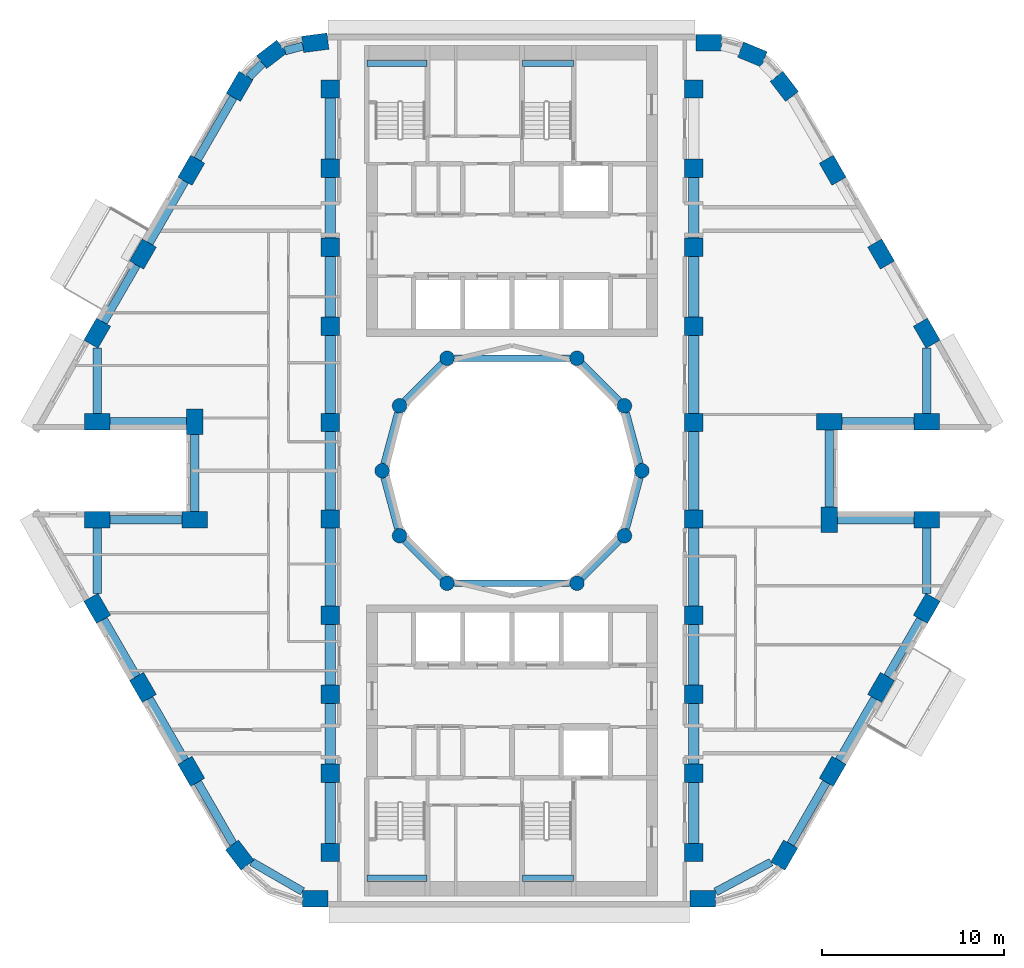
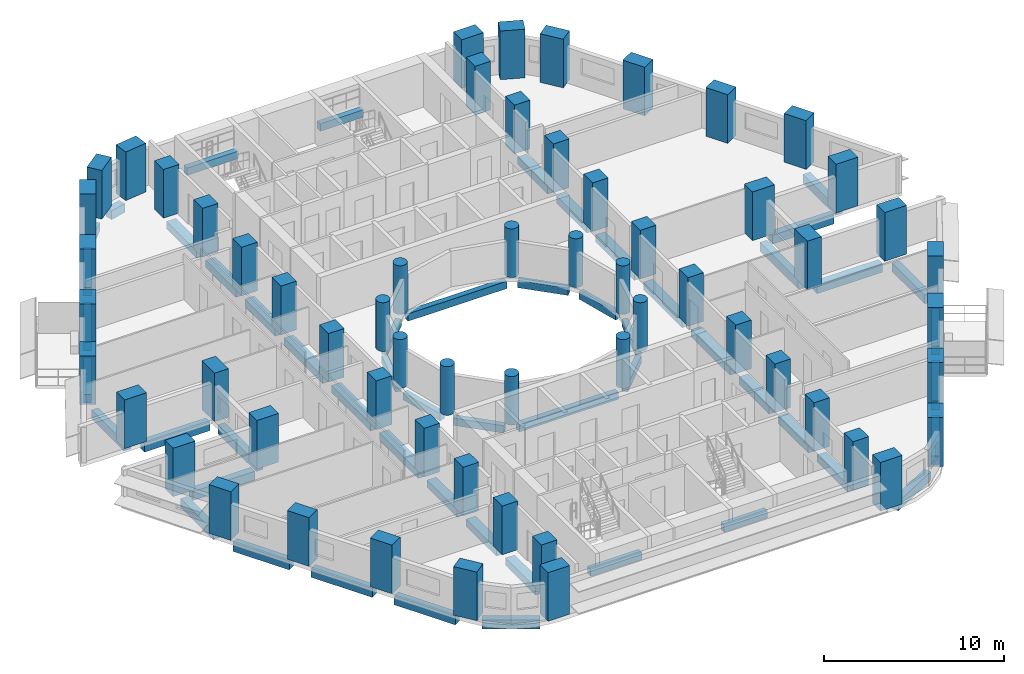
# One storey, part 1 of 14: 60 columns, 54 beams.
"""IFC4 building model written with IfcOpenShell, lengths in metres."""

from ifc_helpers import new_model, si_unit, direction, frame, origin, origin_2d, place, context, subcontext, project, spatial, rectangle, circle, extrude, material, material_profile, profile_set, type_object, element, save


model = new_model("IFC4")

# Units and contexts
model_context = context("Model", 3, precision=1e-05, world=origin(), true_north=direction((0.0, 1.0)))
body_context = subcontext(model_context, "Body", "Model", "MODEL_VIEW")
ifc_project = project(units=[si_unit("LENGTHUNIT", "METRE"), si_unit("AREAUNIT", "SQUARE_METRE"), si_unit("VOLUMEUNIT", "CUBIC_METRE"), si_unit("PLANEANGLEUNIT", "RADIAN"), si_unit("MASSUNIT", "GRAM", prefix="KILO")], contexts=[model_context])

# Site, building, storey
site_placement = place(None, origin())
site = spatial("IfcSite", under=ifc_project, at=site_placement, CompositionType="ELEMENT")
building_placement = place(site_placement, origin())
building = spatial("IfcBuilding", under=site, at=building_placement, Name="Nakaniwa Court", CompositionType="ELEMENT")
storey_placement = place(building_placement, frame((0.0, 0.0, 110.699951171875)))
storey = spatial("IfcBuildingStorey", under=building, at=storey_placement, Name="L29", CompositionType="ELEMENT", Elevation=110.699951171875)

# Columns
ifc_material = material(Name="Concrete C80/100", Category="concrete")
ifc_material_profile_1 = material_profile(ifc_material, rectangle(XDim=1.0, YDim=1.0, at=origin_2d()), Name="Concrete C80/100 RC 1000x1000 spine column")
ifc_profile_set_1 = profile_set([ifc_material_profile_1], Name="Concrete C80/100")
column_type_1 = type_object("IfcColumnType", Name="Concrete C80/100 RC 1000x1000 spine column", PredefinedType="COLUMN", material=ifc_profile_set_1)
for number, where, z_axis, x_axis, name in (
    (1, (90.0, 59.0, 0.0), (0.0, 0.0, 1.0), (0.0, 1.0, 0.0), "COLUMN CS-01"),
    (2, (90.0, 63.35009765625, 0.0), (0.0, 0.0, 1.0), (0.0, 1.0, 0.0), "COLUMN CS-02"),
    (3, (90.0, 67.699951171875, 0.0), (0.0, 0.0, 1.0), (0.0, 1.0, 0.0), "COLUMN CS-03"),
    (4, (90.0, 72.050048828125, 0.0), (0.0, 0.0, 1.0), (0.0, 1.0, 0.0), "COLUMN CS-04"),
    (5, (90.0, 77.35009765625, 0.0), (0.0, 0.0, 1.0), (0.0, 1.0, 0.0), "COLUMN CS-05"),
    (6, (90.0, 82.64990234375, 0.0), (0.0, 0.0, 1.0), (0.0, 1.0, 0.0), "COLUMN CS-06"),
    (7, (90.0, 87.949951171875, 0.0), (0.0, 0.0, 1.0), (0.0, 1.0, 0.0), "COLUMN CS-07"),
    (8, (90.0, 92.300048828125, 0.0), (0.0, 0.0, 1.0), (0.0, 1.0, 0.0), "COLUMN CS-08"),
    (9, (90.0, 96.64990234375, 0.0), (0.0, 0.0, 1.0), (0.0, 1.0, 0.0), "COLUMN CS-09"),
    (10, (90.0, 101.0, 0.0), (0.0, 0.0, 1.0), (0.0, 1.0, 0.0), "COLUMN CS-10"),
    (11, (70.0, 101.0, 0.0), (0.0, 0.0, 1.0), (0.0, -1.0, 0.0), "COLUMN CS-11"),
    (12, (70.0, 96.64990234375, 0.0), (0.0, 0.0, 1.0), (0.0, -1.0, 0.0), "COLUMN CS-12"),
    (13, (70.0, 92.300048828125, 0.0), (0.0, 0.0, 1.0), (0.0, -1.0, 0.0), "COLUMN CS-13"),
    (14, (70.0, 87.949951171875, 0.0), (0.0, 0.0, 1.0), (0.0, -1.0, 0.0), "COLUMN CS-14"),
    (15, (70.0, 82.64990234375, 0.0), (0.0, 0.0, 1.0), (0.0, -1.0, 0.0), "COLUMN CS-15"),
    (16, (70.0, 77.35009765625, 0.0), (0.0, 0.0, 1.0), (0.0, -1.0, 0.0), "COLUMN CS-16"),
    (17, (70.0, 72.050048828125, 0.0), (0.0, 0.0, 1.0), (0.0, -1.0, 0.0), "COLUMN CS-17"),
    (18, (70.0, 67.699951171875, 0.0), (0.0, 0.0, 1.0), (0.0, -1.0, 0.0), "COLUMN CS-18"),
    (19, (70.0, 63.35009765625, 0.0), (0.0, 0.0, 1.0), (0.0, -1.0, 0.0), "COLUMN CS-19"),
    (20, (70.0, 59.0, 0.0), (0.0, 0.0, 1.0), (0.0, -1.0, 0.0), "COLUMN CS-20"),
):
    element("IfcColumn", number, at=place(storey_placement, frame(where, z_axis=z_axis, x_axis=x_axis)), inside=storey, type_object=column_type_1, Name=name, PredefinedType="COLUMN", context=body_context, shape_type="SweptSolid", body=[
        extrude(rectangle(XDim=1.0, YDim=1.0, at=origin_2d()), origin(), (0.0, 0.0, 1.0), 3.300048828125),
    ])
ifc_material_profile_2 = material_profile(ifc_material, rectangle(XDim=1.39990234375, YDim=0.89990234375, at=origin_2d()), Name="Concrete C80/100 RC 1400x900 perimeter column")
ifc_profile_set_2 = profile_set([ifc_material_profile_2], Name="Concrete C80/100")
column_type_2 = type_object("IfcColumnType", Name="Concrete C80/100 RC 1400x900 perimeter column", PredefinedType="COLUMN", material=ifc_profile_set_2)
for number, where, z_axis, x_axis, name in (
    (21, (69.17529296875, 103.550048828125, 0.0), (0.0, 0.0, 1.0), (-0.991442583111, -0.130543496177, 0.0), "COLUMN CO-01"),
    (22, (66.772705078125, 102.91015625, 0.0), (0.0, 0.0, 1.0), (-0.793363965062, -0.608747582288, 0.0), "COLUMN CO-02"),
    (23, (65.017578125, 101.1494140625, 0.0), (0.0, 0.0, 1.0), (-0.5, -0.866025403784, 0.0), "COLUMN CO-03"),
    (24, (62.3544921875, 96.537109375, 0.0), (0.0, 0.0, 1.0), (-0.5, -0.866025403784, 0.0), "COLUMN CO-04"),
    (25, (59.691650390625, 91.9248046875, 0.0), (0.0, 0.0, 1.0), (-0.5, -0.866025403784, 0.0), "COLUMN CO-05"),
    (26, (57.177001953125, 87.569580078125, 0.0), (0.0, 0.0, 1.0), (-0.5, -0.866025403784, 0.0), "COLUMN CO-06"),
    (27, (57.177001953125, 82.699951171875, 0.0), (0.0, 0.0, 1.0), (1.0, 0.0, 0.0), "COLUMN CO-08"),
    (28, (62.54150390625, 82.699951171875, 0.0), (0.0, 0.0, 1.0), (0.0, -1.0, 0.0), "COLUMN CO-09"),
    (29, (62.54150390625, 77.300048828125, 0.0), (0.0, 0.0, 1.0), (-1.0, 0.0, 0.0), "COLUMN CO-10"),
    (30, (57.177001953125, 77.300048828125, 0.0), (0.0, 0.0, 1.0), (-1.0, 0.0, 0.0), "COLUMN CO-11"),
    (31, (57.177001953125, 72.430419921875, 0.0), (0.0, 0.0, 1.0), (0.5, -0.866025403784, 0.0), "COLUMN CO-13"),
    (32, (59.691650390625, 68.0751953125, 0.0), (0.0, 0.0, 1.0), (0.5, -0.866025403784, 0.0), "COLUMN CO-14"),
    (33, (62.3544921875, 63.462890625, 0.0), (0.0, 0.0, 1.0), (0.5, -0.866025403784, 0.0), "COLUMN CO-15"),
    (34, (65.017578125, 58.8505859375, 0.0), (0.0, 0.0, 1.0), (0.608761429009, -0.793353340291, 0.0), "COLUMN CO-16"),
    (35, (69.17529296875, 56.449951171875, 0.0), (0.0, 0.0, 1.0), (1.0, 0.0, 0.0), "COLUMN CO-17"),
    (36, (90.507080078125, 56.449951171875, 0.0), (0.0, 0.0, 1.0), (1.0, 0.0, 0.0), "COLUMN CO-21"),
    (37, (94.982421875, 58.8505859375, 0.0), (0.0, 0.0, 1.0), (0.5, 0.866025403784, 0.0), "COLUMN CO-22"),
    (38, (97.6455078125, 63.462890625, 0.0), (0.0, 0.0, 1.0), (0.5, 0.866025403784, 0.0), "COLUMN CO-23"),
    (39, (100.308349609375, 68.0751953125, 0.0), (0.0, 0.0, 1.0), (0.5, 0.866025403784, 0.0), "COLUMN CO-24"),
    (40, (102.822998046875, 72.430419921875, 0.0), (0.0, 0.0, 1.0), (0.5, 0.866025403784, 0.0), "COLUMN CO-25"),
    (41, (102.822998046875, 77.300048828125, 0.0), (0.0, 0.0, 1.0), (-1.0, 0.0, 0.0), "COLUMN CO-27"),
    (42, (97.45849609375, 77.300048828125, 0.0), (0.0, 0.0, 1.0), (0.0, 1.0, 0.0), "COLUMN CO-28"),
    (43, (97.45849609375, 82.699951171875, 0.0), (0.0, 0.0, 1.0), (1.0, 0.0, 0.0), "COLUMN CO-29"),
    (44, (102.822998046875, 82.699951171875, 0.0), (0.0, 0.0, 1.0), (1.0, 0.0, 0.0), "COLUMN CO-30"),
    (45, (102.822998046875, 87.569580078125, 0.0), (0.0, 0.0, 1.0), (-0.5, 0.866025403784, 0.0), "COLUMN CO-32"),
    (46, (100.308349609375, 91.9248046875, 0.0), (0.0, 0.0, 1.0), (-0.5, 0.866025403784, 0.0), "COLUMN CO-33"),
    (47, (97.6455078125, 96.537109375, 0.0), (0.0, 0.0, 1.0), (-0.5, 0.866025403784, 0.0), "COLUMN CO-34"),
    (48, (94.982421875, 101.1494140625, 0.0), (0.0, 0.0, 1.0), (-0.608761429009, 0.793353340291, 0.0), "COLUMN CO-35"),
    (49, (93.227294921875, 102.91015625, 0.0), (0.0, 0.0, 1.0), (-0.923879532511, 0.382683432365, 0.0), "COLUMN CO-36"),
    (50, (90.82470703125, 103.550048828125, 0.0), (0.0, 0.0, 1.0), (-1.0, 0.0, 0.0), "COLUMN CO-37"),
):
    element("IfcColumn", number, at=place(storey_placement, frame(where, z_axis=z_axis, x_axis=x_axis)), inside=storey, type_object=column_type_2, Name=name, PredefinedType="COLUMN", context=body_context, shape_type="SweptSolid", body=[
        extrude(rectangle(XDim=1.39990234375, YDim=0.89990234375, at=origin_2d()), origin(), (0.0, 0.0, 1.0), 3.300048828125),
    ])
ifc_material_profile_3 = material_profile(ifc_material, circle(Radius=0.39990234375, at=origin_2d()), Name="Concrete C80/100 RC D800 inner ring column")
ifc_profile_set_3 = profile_set([ifc_material_profile_3], Name="Concrete C80/100")
column_type_3 = type_object("IfcColumnType", Name="Concrete C80/100 RC D800 inner ring column", PredefinedType="COLUMN", material=ifc_profile_set_3)
for number, where, z_axis, x_axis, name in (
    (51, (87.14990234375, 80.0, 0.0), (0.0, 0.0, 1.0), (0.0, 1.0, 0.0), "COLUMN CI-01"),
    (52, (86.192138671875, 83.574951171875, 0.0), (0.0, 0.0, 1.0), (-0.5, 0.866025403784, 0.0), "COLUMN CI-02"),
    (53, (83.574951171875, 86.192138671875, 0.0), (0.0, 0.0, 1.0), (-0.866025403784, 0.5, 0.0), "COLUMN CI-03"),
    (54, (76.425048828125, 86.192138671875, 0.0), (0.0, 0.0, 1.0), (-0.866025403784, -0.5, 0.0), "COLUMN CI-05"),
    (55, (73.807861328125, 83.574951171875, 0.0), (0.0, 0.0, 1.0), (-0.5, -0.866025403784, 0.0), "COLUMN CI-06"),
    (56, (72.85009765625, 80.0, 0.0), (0.0, 0.0, 1.0), (0.0, -1.0, 0.0), "COLUMN CI-07"),
    (57, (73.807861328125, 76.425048828125, 0.0), (0.0, 0.0, 1.0), (0.5, -0.866025403784, 0.0), "COLUMN CI-08"),
    (58, (76.425048828125, 73.807861328125, 0.0), (0.0, 0.0, 1.0), (0.866025403784, -0.5, 0.0), "COLUMN CI-09"),
    (59, (83.574951171875, 73.807861328125, 0.0), (0.0, 0.0, 1.0), (0.866025403784, 0.5, 0.0), "COLUMN CI-11"),
    (60, (86.192138671875, 76.425048828125, 0.0), (0.0, 0.0, 1.0), (0.5, 0.866025403784, 0.0), "COLUMN CI-12"),
):
    element("IfcColumn", number, at=place(storey_placement, frame(where, z_axis=z_axis, x_axis=x_axis)), inside=storey, type_object=column_type_3, Name=name, PredefinedType="COLUMN", context=body_context, shape_type="SweptSolid", body=[
        extrude(circle(Radius=0.39990234375, at=origin_2d()), origin(), (0.0, 0.0, 1.0), 3.300048828125),
    ])

# Beams
ifc_material_profile_4 = material_profile(ifc_material, rectangle(XDim=0.35009765625, YDim=0.5, at=origin_2d()), Name="Concrete C80/100 RC 350x500 landing ledge beam")
ifc_profile_set_4 = profile_set([ifc_material_profile_4], Name="Concrete C80/100")
beam_type_1 = type_object("IfcBeamType", Name="Concrete C80/100 RC 350x500 landing ledge beam", PredefinedType="BEAM", material=ifc_profile_set_4)
beam_1_placement = place(storey_placement, frame((72.02490234375, 102.425048828125, 1.199951171875), z_axis=(1.0, 0.0, 0.0), x_axis=(0.0, 1.0, 0.0)))
element("IfcBeam", 61, at=beam_1_placement, inside=storey, type_object=beam_type_1, Name="LANDING LEDGE BEAM", PredefinedType="BEAM", context=body_context, shape_type="SweptSolid", body=[
    extrude(rectangle(XDim=0.35009765625, YDim=0.5, at=origin_2d()), origin(), (0.0, 0.0, 1.0), 3.300048828125),
])
beam_2_placement = place(storey_placement, frame((80.574951171875, 102.425048828125, 1.199951171875), z_axis=(1.0, 0.0, 0.0), x_axis=(0.0, 1.0, 0.0)))
element("IfcBeam", 62, at=beam_2_placement, inside=storey, type_object=beam_type_1, Name="LANDING LEDGE BEAM", PredefinedType="BEAM", context=body_context, shape_type="SweptSolid", body=[
    extrude(rectangle(XDim=0.35009765625, YDim=0.5, at=origin_2d()), origin(), (0.0, 0.0, 1.0), 2.800048828125),
])
beam_3_placement = place(storey_placement, frame((72.02490234375, 57.574951171875, 1.199951171875), z_axis=(1.0, 0.0, 0.0), x_axis=(0.0, 1.0, 0.0)))
element("IfcBeam", 63, at=beam_3_placement, inside=storey, type_object=beam_type_1, Name="LANDING LEDGE BEAM", PredefinedType="BEAM", context=body_context, shape_type="SweptSolid", body=[
    extrude(rectangle(XDim=0.35009765625, YDim=0.5, at=origin_2d()), origin(), (0.0, 0.0, 1.0), 3.300048828125),
])
beam_4_placement = place(storey_placement, frame((80.574951171875, 57.574951171875, 1.199951171875), z_axis=(1.0, 0.0, 0.0), x_axis=(0.0, 1.0, 0.0)))
element("IfcBeam", 64, at=beam_4_placement, inside=storey, type_object=beam_type_1, Name="LANDING LEDGE BEAM", PredefinedType="BEAM", context=body_context, shape_type="SweptSolid", body=[
    extrude(rectangle(XDim=0.35009765625, YDim=0.5, at=origin_2d()), origin(), (0.0, 0.0, 1.0), 2.800048828125),
])
ifc_material_profile_5 = material_profile(ifc_material, rectangle(XDim=0.35009765625, YDim=0.5, at=origin_2d()), Name="Concrete C80/100 RC 350x500 ring beam")
ifc_profile_set_5 = profile_set([ifc_material_profile_5], Name="Concrete C80/100")
beam_type_2 = type_object("IfcBeamType", Name="Concrete C80/100 RC 350x500 ring beam", PredefinedType="BEAM", material=ifc_profile_set_5)
beam_5_placement = place(storey_placement, frame((87.04638671875, 80.386474609375, -0.52490234375), z_axis=(-0.258778150207, 0.965936783115, 0.0), x_axis=(-0.965936783115, -0.258778150207, 0.0)))
element("IfcBeam", 65, at=beam_5_placement, inside=storey, type_object=beam_type_2, Name="RING BEAM", PredefinedType="BEAM", context=body_context, shape_type="SweptSolid", body=[
    extrude(rectangle(XDim=0.35009765625, YDim=0.5, at=origin_2d()), origin(), (0.0, 0.0, 1.0), 2.901123046875),
])
beam_6_placement = place(storey_placement, frame((85.9091796875, 83.85791015625, -0.52490234375), z_axis=(-0.707106781187, 0.707106781187, 0.0), x_axis=(-0.707106781187, -0.707106781187, 0.0)))
element("IfcBeam", 66, at=beam_6_placement, inside=storey, type_object=beam_type_2, Name="RING BEAM", PredefinedType="BEAM", context=body_context, shape_type="SweptSolid", body=[
    extrude(rectangle(XDim=0.35009765625, YDim=0.5, at=origin_2d()), origin(), (0.0, 0.0, 1.0), 2.90087890625),
])
beam_7_placement = place(storey_placement, frame((83.175048828125, 86.192138671875, -0.52490234375), z_axis=(-1.0, 0.0, 0.0), x_axis=(0.0, -1.0, 0.0)))
element("IfcBeam", 67, at=beam_7_placement, inside=storey, type_object=beam_type_2, Name="RING BEAM", PredefinedType="BEAM", context=body_context, shape_type="SweptSolid", body=[
    extrude(rectangle(XDim=0.35009765625, YDim=0.5, at=origin_2d()), origin(), (0.0, 0.0, 1.0), 6.35009765625),
])
beam_8_placement = place(storey_placement, frame((76.14208984375, 85.9091796875, -0.52490234375), z_axis=(-0.707106781187, -0.707106781187, 0.0), x_axis=(0.707106781187, -0.707106781187, 0.0)))
element("IfcBeam", 68, at=beam_8_placement, inside=storey, type_object=beam_type_2, Name="RING BEAM", PredefinedType="BEAM", context=body_context, shape_type="SweptSolid", body=[
    extrude(rectangle(XDim=0.35009765625, YDim=0.5, at=origin_2d()), origin(), (0.0, 0.0, 1.0), 2.90087890625),
])
for number, where, z_axis, x_axis, name in (
    (69, (73.704345703125, 83.188720703125, -0.52490234375), (-0.258778150207, -0.965936783115, 0.0), (0.965936783115, -0.258778150207, 0.0), "RING BEAM"),
    (70, (72.95361328125, 79.613525390625, -0.52490234375), (0.258778150207, -0.965936783115, 0.0), (0.965936783115, 0.258778150207, 0.0), "RING BEAM"),
):
    element("IfcBeam", number, at=place(storey_placement, frame(where, z_axis=z_axis, x_axis=x_axis)), inside=storey, type_object=beam_type_2, Name=name, PredefinedType="BEAM", context=body_context, shape_type="SweptSolid", body=[
        extrude(rectangle(XDim=0.35009765625, YDim=0.5, at=origin_2d()), origin(), (0.0, 0.0, 1.0), 2.901123046875),
    ])
beam_9_placement = place(storey_placement, frame((74.0908203125, 76.14208984375, -0.52490234375), z_axis=(0.707106781187, -0.707106781187, 0.0), x_axis=(0.707106781187, 0.707106781187, 0.0)))
element("IfcBeam", 71, at=beam_9_placement, inside=storey, type_object=beam_type_2, Name="RING BEAM", PredefinedType="BEAM", context=body_context, shape_type="SweptSolid", body=[
    extrude(rectangle(XDim=0.35009765625, YDim=0.5, at=origin_2d()), origin(), (0.0, 0.0, 1.0), 2.90087890625),
])
beam_10_placement = place(storey_placement, frame((76.824951171875, 73.807861328125, -0.52490234375), z_axis=(1.0, 0.0, 0.0), x_axis=(0.0, 1.0, 0.0)))
element("IfcBeam", 72, at=beam_10_placement, inside=storey, type_object=beam_type_2, Name="RING BEAM", PredefinedType="BEAM", context=body_context, shape_type="SweptSolid", body=[
    extrude(rectangle(XDim=0.35009765625, YDim=0.5, at=origin_2d()), origin(), (0.0, 0.0, 1.0), 6.35009765625),
])
beam_11_placement = place(storey_placement, frame((83.85791015625, 74.0908203125, -0.52490234375), z_axis=(0.707106781187, 0.707106781187, 0.0), x_axis=(-0.707106781187, 0.707106781187, 0.0)))
element("IfcBeam", 73, at=beam_11_placement, inside=storey, type_object=beam_type_2, Name="RING BEAM", PredefinedType="BEAM", context=body_context, shape_type="SweptSolid", body=[
    extrude(rectangle(XDim=0.35009765625, YDim=0.5, at=origin_2d()), origin(), (0.0, 0.0, 1.0), 2.90087890625),
])
beam_12_placement = place(storey_placement, frame((86.295654296875, 76.811279296875, -0.52490234375), z_axis=(0.258778150207, 0.965936783115, 0.0), x_axis=(-0.965936783115, 0.258778150207, 0.0)))
element("IfcBeam", 74, at=beam_12_placement, inside=storey, type_object=beam_type_2, Name="RING BEAM", PredefinedType="BEAM", context=body_context, shape_type="SweptSolid", body=[
    extrude(rectangle(XDim=0.35009765625, YDim=0.5, at=origin_2d()), origin(), (0.0, 0.0, 1.0), 2.901123046875),
])
ifc_material_profile_6 = material_profile(ifc_material, rectangle(XDim=0.449951171875, YDim=0.60009765625, at=origin_2d()), Name="Concrete C80/100 RC 450x600 spandrel beam")
ifc_profile_set_6 = profile_set([ifc_material_profile_6], Name="Concrete C80/100")
beam_type_3 = type_object("IfcBeamType", Name="Concrete C80/100 RC 450x600 spandrel beam", PredefinedType="BEAM", material=ifc_profile_set_6)
beam_13_placement = place(storey_placement, frame((68.4931640625, 103.368408203125, -0.574951171875), z_axis=(-0.966290412053, -0.257454538851, 0.0), x_axis=(0.257454538851, -0.966290412053, 0.0)))
element("IfcBeam", 75, at=beam_13_placement, inside=storey, type_object=beam_type_3, Name="SPANDREL BEAM", PredefinedType="BEAM", context=body_context, shape_type="SweptSolid", body=[
    extrude(rectangle(XDim=0.449951171875, YDim=0.60009765625, at=origin_2d()), origin(), (0.0, 0.0, 1.0), 1.022216796875),
])
beam_14_placement = place(storey_placement, frame((66.274169921875, 102.41015625, -0.574951171875), z_axis=(-0.70606530329, -0.708146727374, 0.0), x_axis=(0.708146727374, -0.70606530329, 0.0)))
element("IfcBeam", 76, at=beam_14_placement, inside=storey, type_object=beam_type_3, Name="SPANDREL BEAM", PredefinedType="BEAM", context=body_context, shape_type="SweptSolid", body=[
    extrude(rectangle(XDim=0.449951171875, YDim=0.60009765625, at=origin_2d()), origin(), (0.0, 0.0, 1.0), 1.0556640625),
])
for number, where, z_axis, x_axis, name in (
    (77, (64.66748046875, 100.543212890625, -0.574951171875), (-0.49999161165, -0.866030246746, 0.0), (0.866030246746, -0.49999161165, 0.0), "SPANDREL BEAM"),
    (78, (62.00439453125, 95.930908203125, -0.574951171875), (-0.49999161165, -0.866030246746, 0.0), (0.866030246746, -0.49999161165, 0.0), "SPANDREL BEAM"),
):
    element("IfcBeam", number, at=place(storey_placement, frame(where, z_axis=z_axis, x_axis=x_axis)), inside=storey, type_object=beam_type_3, Name=name, PredefinedType="BEAM", context=body_context, shape_type="SweptSolid", body=[
        extrude(rectangle(XDim=0.449951171875, YDim=0.60009765625, at=origin_2d()), origin(), (0.0, 0.0, 1.0), 3.92578125),
    ])
beam_15_placement = place(storey_placement, frame((59.341552734375, 91.318603515625, -0.574951171875), z_axis=(-0.499988394233, -0.866032104273, 0.0), x_axis=(0.866032104273, -0.499988394233, 0.0)))
element("IfcBeam", 79, at=beam_15_placement, inside=storey, type_object=beam_type_3, Name="SPANDREL BEAM", PredefinedType="BEAM", context=body_context, shape_type="SweptSolid", body=[
    extrude(rectangle(XDim=0.449951171875, YDim=0.60009765625, at=origin_2d()), origin(), (0.0, 0.0, 1.0), 3.62890625),
])
beam_16_placement = place(storey_placement, frame((57.177001953125, 86.761474609375, -0.574951171875), z_axis=(0.0, -1.0, 0.0), x_axis=(1.0, 0.0, 0.0)))
element("IfcBeam", 80, at=beam_16_placement, inside=storey, type_object=beam_type_3, Name="SPANDREL BEAM", PredefinedType="BEAM", context=body_context, shape_type="SweptSolid", body=[
    extrude(rectangle(XDim=0.449951171875, YDim=0.60009765625, at=origin_2d()), origin(), (0.0, 0.0, 1.0), 3.611572265625),
])
beam_17_placement = place(storey_placement, frame((57.877197265625, 82.699951171875, -0.574951171875), z_axis=(1.0, 0.0, 0.0), x_axis=(0.0, 1.0, 0.0)))
element("IfcBeam", 81, at=beam_17_placement, inside=storey, type_object=beam_type_3, Name="SPANDREL BEAM", PredefinedType="BEAM", context=body_context, shape_type="SweptSolid", body=[
    extrude(rectangle(XDim=0.449951171875, YDim=0.60009765625, at=origin_2d()), origin(), (0.0, 0.0, 1.0), 4.21435546875),
])
beam_18_placement = place(storey_placement, frame((62.54150390625, 82.0, -0.574951171875), z_axis=(0.0, -1.0, 0.0), x_axis=(1.0, 0.0, 0.0)))
element("IfcBeam", 82, at=beam_18_placement, inside=storey, type_object=beam_type_3, Name="SPANDREL BEAM", PredefinedType="BEAM", context=body_context, shape_type="SweptSolid", body=[
    extrude(rectangle(XDim=0.449951171875, YDim=0.60009765625, at=origin_2d()), origin(), (0.0, 0.0, 1.0), 4.25),
])
beam_19_placement = place(storey_placement, frame((61.841552734375, 77.300048828125, -0.574951171875), z_axis=(-1.0, 0.0, 0.0), x_axis=(0.0, -1.0, 0.0)))
element("IfcBeam", 83, at=beam_19_placement, inside=storey, type_object=beam_type_3, Name="SPANDREL BEAM", PredefinedType="BEAM", context=body_context, shape_type="SweptSolid", body=[
    extrude(rectangle(XDim=0.449951171875, YDim=0.60009765625, at=origin_2d()), origin(), (0.0, 0.0, 1.0), 3.96435546875),
])
beam_20_placement = place(storey_placement, frame((57.177001953125, 76.85009765625, -0.574951171875), z_axis=(0.0, -1.0, 0.0), x_axis=(1.0, 0.0, 0.0)))
element("IfcBeam", 84, at=beam_20_placement, inside=storey, type_object=beam_type_3, Name="SPANDREL BEAM", PredefinedType="BEAM", context=body_context, shape_type="SweptSolid", body=[
    extrude(rectangle(XDim=0.449951171875, YDim=0.60009765625, at=origin_2d()), origin(), (0.0, 0.0, 1.0), 3.611572265625),
])
beam_21_placement = place(storey_placement, frame((57.527099609375, 71.82421875, -0.574951171875), z_axis=(0.499988394233, -0.866032104273, 0.0), x_axis=(0.866032104273, 0.499988394233, 0.0)))
element("IfcBeam", 85, at=beam_21_placement, inside=storey, type_object=beam_type_3, Name="SPANDREL BEAM", PredefinedType="BEAM", context=body_context, shape_type="SweptSolid", body=[
    extrude(rectangle(XDim=0.449951171875, YDim=0.60009765625, at=origin_2d()), origin(), (0.0, 0.0, 1.0), 3.62890625),
])
beam_22_placement = place(storey_placement, frame((60.04150390625, 67.468994140625, -0.574951171875), z_axis=(0.49999161165, -0.866030246746, 0.0), x_axis=(0.866030246746, 0.49999161165, 0.0)))
element("IfcBeam", 86, at=beam_22_placement, inside=storey, type_object=beam_type_3, Name="SPANDREL BEAM", PredefinedType="BEAM", context=body_context, shape_type="SweptSolid", body=[
    extrude(rectangle(XDim=0.449951171875, YDim=0.60009765625, at=origin_2d()), origin(), (0.0, 0.0, 1.0), 3.92578125),
])
beam_23_placement = place(storey_placement, frame((62.70458984375, 62.856689453125, -0.574951171875), z_axis=(0.499997407846, -0.86602690036, 0.0), x_axis=(0.86602690036, 0.499997407846, 0.0)))
element("IfcBeam", 87, at=beam_23_placement, inside=storey, type_object=beam_type_3, Name="SPANDREL BEAM", PredefinedType="BEAM", context=body_context, shape_type="SweptSolid", body=[
    extrude(rectangle(XDim=0.449951171875, YDim=0.60009765625, at=origin_2d()), origin(), (0.0, 0.0, 1.0), 3.919921875),
])
beam_24_placement = place(storey_placement, frame((65.673583984375, 58.4716796875, -0.574951171875), z_axis=(0.866014675542, -0.5000185814, 0.0), x_axis=(0.5000185814, 0.866014675542, 0.0)))
element("IfcBeam", 88, at=beam_24_placement, inside=storey, type_object=beam_type_3, Name="SPANDREL BEAM", PredefinedType="BEAM", context=body_context, shape_type="SweptSolid", body=[
    extrude(rectangle(XDim=0.449951171875, YDim=0.60009765625, at=origin_2d()), origin(), (0.0, 0.0, 1.0), 3.2353515625),
])
beam_25_placement = place(storey_placement, frame((91.20703125, 56.825439453125, -0.574951171875), z_axis=(0.881233381314, 0.472681423009, 0.0), x_axis=(-0.472681423009, 0.881233381314, 0.0)))
element("IfcBeam", 89, at=beam_25_placement, inside=storey, type_object=beam_type_3, Name="SPANDREL BEAM", PredefinedType="BEAM", context=body_context, shape_type="SweptSolid", body=[
    extrude(rectangle(XDim=0.449951171875, YDim=0.60009765625, at=origin_2d()), origin(), (0.0, 0.0, 1.0), 3.46044921875),
])
for number, where, z_axis, x_axis, name in (
    (90, (95.33251953125, 59.456787109375, -0.574951171875), (0.49999161165, 0.866030246746, 0.0), (-0.866030246746, 0.49999161165, 0.0), "SPANDREL BEAM"),
    (91, (97.99560546875, 64.069091796875, -0.574951171875), (0.49999161165, 0.866030246746, 0.0), (-0.866030246746, 0.49999161165, 0.0), "SPANDREL BEAM"),
):
    element("IfcBeam", number, at=place(storey_placement, frame(where, z_axis=z_axis, x_axis=x_axis)), inside=storey, type_object=beam_type_3, Name=name, PredefinedType="BEAM", context=body_context, shape_type="SweptSolid", body=[
        extrude(rectangle(XDim=0.449951171875, YDim=0.60009765625, at=origin_2d()), origin(), (0.0, 0.0, 1.0), 3.92578125),
    ])
beam_26_placement = place(storey_placement, frame((100.658447265625, 68.681396484375, -0.574951171875), z_axis=(0.499988394233, 0.866032104273, 0.0), x_axis=(-0.866032104273, 0.499988394233, 0.0)))
element("IfcBeam", 92, at=beam_26_placement, inside=storey, type_object=beam_type_3, Name="SPANDREL BEAM", PredefinedType="BEAM", context=body_context, shape_type="SweptSolid", body=[
    extrude(rectangle(XDim=0.449951171875, YDim=0.60009765625, at=origin_2d()), origin(), (0.0, 0.0, 1.0), 3.62890625),
])
beam_27_placement = place(storey_placement, frame((102.822998046875, 73.238525390625, -0.574951171875), z_axis=(0.0, 1.0, 0.0), x_axis=(-1.0, 0.0, 0.0)))
element("IfcBeam", 93, at=beam_27_placement, inside=storey, type_object=beam_type_3, Name="SPANDREL BEAM", PredefinedType="BEAM", context=body_context, shape_type="SweptSolid", body=[
    extrude(rectangle(XDim=0.449951171875, YDim=0.60009765625, at=origin_2d()), origin(), (0.0, 0.0, 1.0), 3.611572265625),
])
beam_28_placement = place(storey_placement, frame((102.122802734375, 77.300048828125, -0.574951171875), z_axis=(-1.0, 0.0, 0.0), x_axis=(0.0, -1.0, 0.0)))
element("IfcBeam", 94, at=beam_28_placement, inside=storey, type_object=beam_type_3, Name="SPANDREL BEAM", PredefinedType="BEAM", context=body_context, shape_type="SweptSolid", body=[
    extrude(rectangle(XDim=0.449951171875, YDim=0.60009765625, at=origin_2d()), origin(), (0.0, 0.0, 1.0), 4.21435546875),
])
beam_29_placement = place(storey_placement, frame((97.45849609375, 78.0, -0.574951171875), z_axis=(0.0, 1.0, 0.0), x_axis=(-1.0, 0.0, 0.0)))
element("IfcBeam", 95, at=beam_29_placement, inside=storey, type_object=beam_type_3, Name="SPANDREL BEAM", PredefinedType="BEAM", context=body_context, shape_type="SweptSolid", body=[
    extrude(rectangle(XDim=0.449951171875, YDim=0.60009765625, at=origin_2d()), origin(), (0.0, 0.0, 1.0), 4.25),
])
beam_30_placement = place(storey_placement, frame((98.158447265625, 82.699951171875, -0.574951171875), z_axis=(1.0, 0.0, 0.0), x_axis=(0.0, 1.0, 0.0)))
element("IfcBeam", 96, at=beam_30_placement, inside=storey, type_object=beam_type_3, Name="SPANDREL BEAM", PredefinedType="BEAM", context=body_context, shape_type="SweptSolid", body=[
    extrude(rectangle(XDim=0.449951171875, YDim=0.60009765625, at=origin_2d()), origin(), (0.0, 0.0, 1.0), 3.96435546875),
])
beam_31_placement = place(storey_placement, frame((102.822998046875, 83.14990234375, -0.574951171875), z_axis=(0.0, 1.0, 0.0), x_axis=(-1.0, 0.0, 0.0)))
element("IfcBeam", 97, at=beam_31_placement, inside=storey, type_object=beam_type_3, Name="SPANDREL BEAM", PredefinedType="BEAM", context=body_context, shape_type="SweptSolid", body=[
    extrude(rectangle(XDim=0.449951171875, YDim=0.60009765625, at=origin_2d()), origin(), (0.0, 0.0, 1.0), 3.611572265625),
])
ifc_material_profile_7 = material_profile(ifc_material, rectangle(XDim=0.60009765625, YDim=0.5, at=origin_2d()), Name="Concrete C80/100 RC 600x500 ring beam")
ifc_profile_set_7 = profile_set([ifc_material_profile_7], Name="Concrete C80/100")
beam_type_4 = type_object("IfcBeamType", Name="Concrete C80/100 RC 600x500 ring beam", PredefinedType="BEAM", material=ifc_profile_set_7)
beam_32_placement = place(storey_placement, frame((90.0, 59.5, -0.52490234375), z_axis=(0.0, 1.0, 0.0), x_axis=(-1.0, 0.0, 0.0)))
element("IfcBeam", 98, at=beam_32_placement, inside=storey, type_object=beam_type_4, Name="RING BEAM", PredefinedType="BEAM", context=body_context, shape_type="SweptSolid", body=[
    extrude(rectangle(XDim=0.60009765625, YDim=0.5, at=origin_2d()), origin(), (0.0, 0.0, 1.0), 3.35009765625),
])
beam_33_placement = place(storey_placement, frame((90.0, 63.85009765625, -0.52490234375), z_axis=(0.0, 1.0, 0.0), x_axis=(-1.0, 0.0, 0.0)))
element("IfcBeam", 99, at=beam_33_placement, inside=storey, type_object=beam_type_4, Name="RING BEAM", PredefinedType="BEAM", context=body_context, shape_type="SweptSolid", body=[
    extrude(rectangle(XDim=0.60009765625, YDim=0.5, at=origin_2d()), origin(), (0.0, 0.0, 1.0), 3.349853515625),
])
beam_34_placement = place(storey_placement, frame((90.0, 68.199951171875, -0.52490234375), z_axis=(0.0, 1.0, 0.0), x_axis=(-1.0, 0.0, 0.0)))
element("IfcBeam", 100, at=beam_34_placement, inside=storey, type_object=beam_type_4, Name="RING BEAM", PredefinedType="BEAM", context=body_context, shape_type="SweptSolid", body=[
    extrude(rectangle(XDim=0.60009765625, YDim=0.5, at=origin_2d()), origin(), (0.0, 0.0, 1.0), 3.35009765625),
])
beam_35_placement = place(storey_placement, frame((90.0, 72.550048828125, -0.52490234375), z_axis=(0.0, 1.0, 0.0), x_axis=(-1.0, 0.0, 0.0)))
element("IfcBeam", 101, at=beam_35_placement, inside=storey, type_object=beam_type_4, Name="RING BEAM", PredefinedType="BEAM", context=body_context, shape_type="SweptSolid", body=[
    extrude(rectangle(XDim=0.60009765625, YDim=0.5, at=origin_2d()), origin(), (0.0, 0.0, 1.0), 4.300048828125),
])
beam_36_placement = place(storey_placement, frame((90.0, 77.85009765625, -0.52490234375), z_axis=(0.0, 1.0, 0.0), x_axis=(-1.0, 0.0, 0.0)))
element("IfcBeam", 102, at=beam_36_placement, inside=storey, type_object=beam_type_4, Name="RING BEAM", PredefinedType="BEAM", context=body_context, shape_type="SweptSolid", body=[
    extrude(rectangle(XDim=0.60009765625, YDim=0.5, at=origin_2d()), origin(), (0.0, 0.0, 1.0), 4.2998046875),
])
beam_37_placement = place(storey_placement, frame((90.0, 83.14990234375, -0.52490234375), z_axis=(0.0, 1.0, 0.0), x_axis=(-1.0, 0.0, 0.0)))
element("IfcBeam", 103, at=beam_37_placement, inside=storey, type_object=beam_type_4, Name="RING BEAM", PredefinedType="BEAM", context=body_context, shape_type="SweptSolid", body=[
    extrude(rectangle(XDim=0.60009765625, YDim=0.5, at=origin_2d()), origin(), (0.0, 0.0, 1.0), 4.300048828125),
])
beam_38_placement = place(storey_placement, frame((90.0, 88.449951171875, -0.52490234375), z_axis=(0.0, 1.0, 0.0), x_axis=(-1.0, 0.0, 0.0)))
element("IfcBeam", 104, at=beam_38_placement, inside=storey, type_object=beam_type_4, Name="RING BEAM", PredefinedType="BEAM", context=body_context, shape_type="SweptSolid", body=[
    extrude(rectangle(XDim=0.60009765625, YDim=0.5, at=origin_2d()), origin(), (0.0, 0.0, 1.0), 3.35009765625),
])
beam_39_placement = place(storey_placement, frame((90.0, 92.800048828125, -0.52490234375), z_axis=(0.0, 1.0, 0.0), x_axis=(-1.0, 0.0, 0.0)))
element("IfcBeam", 105, at=beam_39_placement, inside=storey, type_object=beam_type_4, Name="RING BEAM", PredefinedType="BEAM", context=body_context, shape_type="SweptSolid", body=[
    extrude(rectangle(XDim=0.60009765625, YDim=0.5, at=origin_2d()), origin(), (0.0, 0.0, 1.0), 3.349853515625),
])
beam_40_placement = place(storey_placement, frame((70.0, 100.5, -0.52490234375), z_axis=(0.0, -1.0, 0.0), x_axis=(1.0, 0.0, 0.0)))
element("IfcBeam", 106, at=beam_40_placement, inside=storey, type_object=beam_type_4, Name="RING BEAM", PredefinedType="BEAM", context=body_context, shape_type="SweptSolid", body=[
    extrude(rectangle(XDim=0.60009765625, YDim=0.5, at=origin_2d()), origin(), (0.0, 0.0, 1.0), 3.35009765625),
])
beam_41_placement = place(storey_placement, frame((70.0, 96.14990234375, -0.52490234375), z_axis=(0.0, -1.0, 0.0), x_axis=(1.0, 0.0, 0.0)))
element("IfcBeam", 107, at=beam_41_placement, inside=storey, type_object=beam_type_4, Name="RING BEAM", PredefinedType="BEAM", context=body_context, shape_type="SweptSolid", body=[
    extrude(rectangle(XDim=0.60009765625, YDim=0.5, at=origin_2d()), origin(), (0.0, 0.0, 1.0), 3.349853515625),
])
beam_42_placement = place(storey_placement, frame((70.0, 91.800048828125, -0.52490234375), z_axis=(0.0, -1.0, 0.0), x_axis=(1.0, 0.0, 0.0)))
element("IfcBeam", 108, at=beam_42_placement, inside=storey, type_object=beam_type_4, Name="RING BEAM", PredefinedType="BEAM", context=body_context, shape_type="SweptSolid", body=[
    extrude(rectangle(XDim=0.60009765625, YDim=0.5, at=origin_2d()), origin(), (0.0, 0.0, 1.0), 3.35009765625),
])
beam_43_placement = place(storey_placement, frame((70.0, 87.449951171875, -0.52490234375), z_axis=(0.0, -1.0, 0.0), x_axis=(1.0, 0.0, 0.0)))
element("IfcBeam", 109, at=beam_43_placement, inside=storey, type_object=beam_type_4, Name="RING BEAM", PredefinedType="BEAM", context=body_context, shape_type="SweptSolid", body=[
    extrude(rectangle(XDim=0.60009765625, YDim=0.5, at=origin_2d()), origin(), (0.0, 0.0, 1.0), 4.300048828125),
])
beam_44_placement = place(storey_placement, frame((70.0, 82.14990234375, -0.52490234375), z_axis=(0.0, -1.0, 0.0), x_axis=(1.0, 0.0, 0.0)))
element("IfcBeam", 110, at=beam_44_placement, inside=storey, type_object=beam_type_4, Name="RING BEAM", PredefinedType="BEAM", context=body_context, shape_type="SweptSolid", body=[
    extrude(rectangle(XDim=0.60009765625, YDim=0.5, at=origin_2d()), origin(), (0.0, 0.0, 1.0), 4.2998046875),
])
beam_45_placement = place(storey_placement, frame((70.0, 76.85009765625, -0.52490234375), z_axis=(0.0, -1.0, 0.0), x_axis=(1.0, 0.0, 0.0)))
element("IfcBeam", 111, at=beam_45_placement, inside=storey, type_object=beam_type_4, Name="RING BEAM", PredefinedType="BEAM", context=body_context, shape_type="SweptSolid", body=[
    extrude(rectangle(XDim=0.60009765625, YDim=0.5, at=origin_2d()), origin(), (0.0, 0.0, 1.0), 4.300048828125),
])
beam_46_placement = place(storey_placement, frame((70.0, 71.550048828125, -0.52490234375), z_axis=(0.0, -1.0, 0.0), x_axis=(1.0, 0.0, 0.0)))
element("IfcBeam", 112, at=beam_46_placement, inside=storey, type_object=beam_type_4, Name="RING BEAM", PredefinedType="BEAM", context=body_context, shape_type="SweptSolid", body=[
    extrude(rectangle(XDim=0.60009765625, YDim=0.5, at=origin_2d()), origin(), (0.0, 0.0, 1.0), 3.35009765625),
])
beam_47_placement = place(storey_placement, frame((70.0, 67.199951171875, -0.52490234375), z_axis=(0.0, -1.0, 0.0), x_axis=(1.0, 0.0, 0.0)))
element("IfcBeam", 113, at=beam_47_placement, inside=storey, type_object=beam_type_4, Name="RING BEAM", PredefinedType="BEAM", context=body_context, shape_type="SweptSolid", body=[
    extrude(rectangle(XDim=0.60009765625, YDim=0.5, at=origin_2d()), origin(), (0.0, 0.0, 1.0), 3.349853515625),
])
beam_48_placement = place(storey_placement, frame((70.0, 62.85009765625, -0.52490234375), z_axis=(0.0, -1.0, 0.0), x_axis=(1.0, 0.0, 0.0)))
element("IfcBeam", 114, at=beam_48_placement, inside=storey, type_object=beam_type_4, Name="RING BEAM", PredefinedType="BEAM", context=body_context, shape_type="SweptSolid", body=[
    extrude(rectangle(XDim=0.60009765625, YDim=0.5, at=origin_2d()), origin(), (0.0, 0.0, 1.0), 3.35009765625),
])

save(model, "model.ifc")
